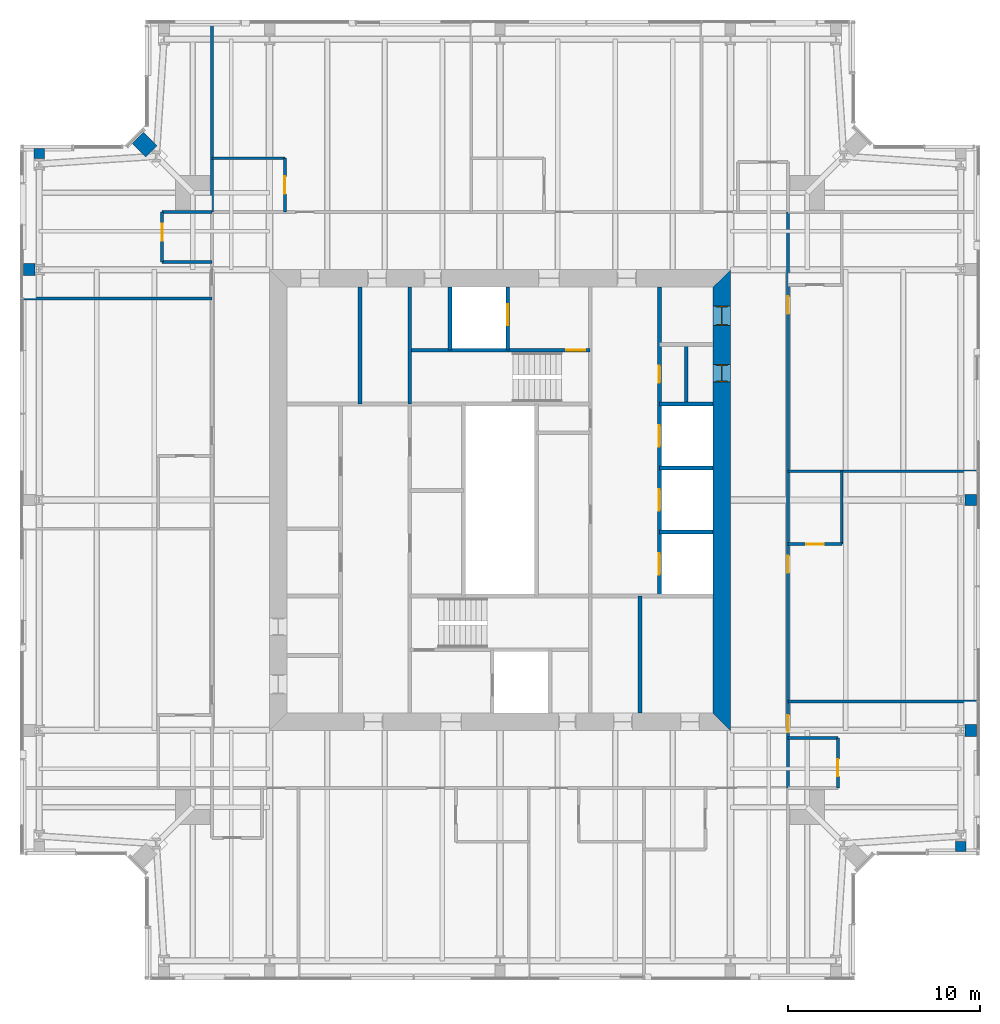
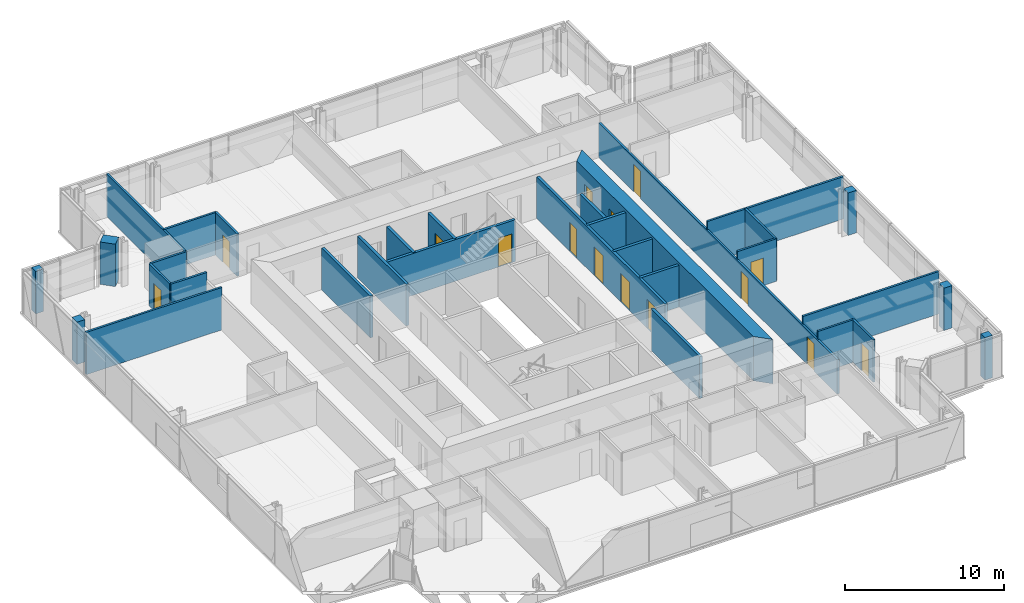
# One storey, part 13 of 20: 32 walls, 15 doors, 15 openings.
"""IFC4 building model written with IfcOpenShell, lengths in metres."""

from ifc_helpers import new_model, si_unit, direction, frame, frame_2d, origin, place, context, subcontext, project, spatial, polyline, rectangle, outline, extrude, material, layer, layer_set, type_object, element, fill, save


model = new_model("IFC4")

# Units and contexts
model_context = context("Model", 3, precision=1e-05, world=origin(), true_north=direction((0.0, 1.0)))
body_context = subcontext(model_context, "Body", "Model", "MODEL_VIEW")
ifc_project = project(units=[si_unit("LENGTHUNIT", "METRE"), si_unit("AREAUNIT", "SQUARE_METRE"), si_unit("VOLUMEUNIT", "CUBIC_METRE"), si_unit("PLANEANGLEUNIT", "RADIAN"), si_unit("MASSUNIT", "GRAM", prefix="KILO")], contexts=[model_context])

# Site, building, storey
site_placement = place(None, origin())
site = spatial("IfcSite", under=ifc_project, at=site_placement, CompositionType="ELEMENT")
building_placement = place(site_placement, origin())
building = spatial("IfcBuilding", under=site, at=building_placement, Name="Fenwick Lantern Interchange", CompositionType="ELEMENT")
storey_placement = place(building_placement, frame((0.0, 0.0, 276.39990234375)))
storey = spatial("IfcBuildingStorey", under=building, at=storey_placement, Name="L66", CompositionType="ELEMENT", Elevation=276.39990234375)

# Walls
ifc_material_1 = material(Name="Fire-rated gypsum board encasement on steel studs, 2 hour", Category="steel")
ifc_layer_1 = layer(ifc_material_1, 0.554931640625)
ifc_layer_set_1 = layer_set([ifc_layer_1], Name="COLUMN PIER 555")
wall_type_1 = type_object("IfcWallType", Name="COLUMN PIER 555", PredefinedType="PARTITIONING", material=ifc_layer_set_1)
for number, where, z_axis, x_axis, name in (
    (1, (49.0, 6.68994140625, 0.0), (0.0, 0.0, 1.0), (0.0, 1.0, 0.0), "L66/W/PIER/CE1"),
    (2, (1.0, 43.31005859375, 0.0), (0.0, 0.0, 1.0), (0.0, -1.0, 0.0), "L66/W/PIER/CW1"),
):
    element("IfcWall", number, at=place(storey_placement, frame(where, z_axis=z_axis, x_axis=x_axis)), inside=storey, type_object=wall_type_1, Name=name, PredefinedType="PARTITIONING", context=body_context, shape_type="SweptSolid", body=[
        extrude(rectangle(XDim=0.525634765625, YDim=0.554931640625, at=frame_2d((0.2626953125, 0.0))), origin(), (0.0, 0.0, 1.0), 3.25),
    ])
ifc_layer_2 = layer(ifc_material_1, 0.574951171875)
ifc_layer_set_2 = layer_set([ifc_layer_2], Name="COLUMN PIER 575")
wall_type_2 = type_object("IfcWallType", Name="COLUMN PIER 575", PredefinedType="PARTITIONING", material=ifc_layer_set_2)
wall_1_placement = place(storey_placement, frame((49.81005859375, 25.0, 0.0), z_axis=(0.0, 0.0, 1.0), x_axis=(-1.0, 0.0, 0.0)))
element("IfcWall", 3, at=wall_1_placement, inside=storey, type_object=wall_type_2, Name="L66/W/PIER/CE3", PredefinedType="PARTITIONING", context=body_context, shape_type="SweptSolid", body=[
    extrude(rectangle(XDim=0.597900390625, YDim=0.574951171875, at=frame_2d((0.298828125, 0.0))), origin(), (0.0, 0.0, 1.0), 3.25),
])
ifc_layer_3 = layer(ifc_material_1, 0.631103515625)
ifc_layer_set_3 = layer_set([ifc_layer_3], Name="COLUMN PIER 631")
wall_type_3 = type_object("IfcWallType", Name="COLUMN PIER 631", PredefinedType="PARTITIONING", material=ifc_layer_set_3)
for number, where, z_axis, x_axis, name in (
    (4, (49.81005859375, 13.0, 0.0), (0.0, 0.0, 1.0), (-1.0, 0.0, 0.0), "L66/W/PIER/CE2"),
    (5, (0.18994140625, 37.0, 0.0), (0.0, 0.0, 1.0), (1.0, 0.0, 0.0), "L66/W/PIER/CW2"),
):
    element("IfcWall", number, at=place(storey_placement, frame(where, z_axis=z_axis, x_axis=x_axis)), inside=storey, type_object=wall_type_3, Name=name, PredefinedType="PARTITIONING", context=body_context, shape_type="SweptSolid", body=[
        extrude(rectangle(XDim=0.589111328125, YDim=0.631103515625, at=frame_2d((0.29443359375, 0.0))), origin(), (0.0, 0.0, 1.0), 3.25),
    ])
ifc_layer_4 = layer(ifc_material_1, 0.823974609375)
ifc_layer_set_4 = layer_set([ifc_layer_4], Name="COLUMN PIER 824")
wall_type_4 = type_object("IfcWallType", Name="COLUMN PIER 824", PredefinedType="PARTITIONING", material=ifc_layer_set_4)
wall_2_placement = place(storey_placement, frame((6.13427734375, 43.86572265625, 0.0), z_axis=(0.0, 0.0, 1.0), x_axis=(0.707106781187, -0.707106781187, 0.0)))
element("IfcWall", 6, at=wall_2_placement, inside=storey, type_object=wall_type_4, Name="L66/W/PIER/CNR", PredefinedType="PARTITIONING", context=body_context, shape_type="SweptSolid", body=[
    extrude(rectangle(XDim=1.003662109375, YDim=0.823974609375, at=frame_2d((0.501953125, 0.0))), origin(), (0.0, 0.0, 1.0), 3.25),
])
ifc_material_2 = material(Name="Concrete masonry ASTM C90 Grade N", Category="masonry")
ifc_layer_5 = layer(ifc_material_2, 0.199951171875)
ifc_layer_set_5 = layer_set([ifc_layer_5], Name="Concrete masonry ASTM C90 Grade N")
wall_type_5 = type_object("IfcWallType", Name="CORE PARTITION 200", PredefinedType="PARTITIONING", material=ifc_layer_set_5)
wall_3_placement = place(storey_placement, frame((32.300048828125, 13.89990234375, 0.0), z_axis=(0.0, 0.0, 1.0), x_axis=(0.0, 1.0, 0.0)))
element("IfcWall", 7, at=wall_3_placement, inside=storey, type_object=wall_type_5, Name="L66/W/CORES/i2", PredefinedType="PARTITIONING", context=body_context, shape_type="SweptSolid", body=[
    extrude(rectangle(XDim=6.10009765625, YDim=0.199951171875, at=frame_2d((3.050048828125, 0.0))), origin(), (0.0, 0.0, 1.0), 3.2001953125),
])

# Wall, openings, doors
wall_4_placement = place(storey_placement, frame((33.300048828125, 36.10009765625, 0.0), z_axis=(0.0, 0.0, 1.0), x_axis=(0.0, -1.0, 0.0)))
wall_4 = element("IfcWall", 8, at=wall_4_placement, inside=storey, type_object=wall_type_5, Name="L66/W/COREN/a", PredefinedType="PARTITIONING", context=body_context, shape_type="SweptSolid", body=[
    extrude(rectangle(XDim=16.10009765625, YDim=0.199951171875, at=frame_2d((8.050048828125, 0.0))), origin(), (0.0, 0.0, 1.0), 3.2001953125),
])
opening_1_placement = place(wall_4_placement, frame((4.10009765625, 0.0, 0.0)))
opening_1 = element("IfcOpeningElement", 9, at=opening_1_placement, cuts=wall_4, Name="Opening L66-D020", PredefinedType="OPENING", context=body_context, shape_type="SweptSolid", body=[
    extrude(rectangle(XDim=0.89990234375, YDim=2.199951171875, at=frame_2d((0.449951171875, 1.10009765625))), frame((0.0, 0.10986328125, 0.0), z_axis=(0.0, -1.0, 0.0), x_axis=(1.0, 0.0, 0.0)), (0.0, 0.0, 1.0), 0.219970703125),
])
opening_2_placement = place(wall_4_placement, frame((7.216552734375, 0.0, 0.0)))
opening_2 = element("IfcOpeningElement", 10, at=opening_2_placement, cuts=wall_4, Name="Opening LD-E1-1", PredefinedType="OPENING", context=body_context, shape_type="SweptSolid", body=[
    extrude(rectangle(XDim=1.10009765625, YDim=2.199951171875, at=frame_2d((0.550048828125, 1.10009765625))), frame((0.0, 0.10986328125, 0.0), z_axis=(0.0, -1.0, 0.0), x_axis=(1.0, 0.0, 0.0)), (0.0, 0.0, 1.0), 0.219970703125),
])
opening_3_placement = place(wall_4_placement, frame((10.550048828125, 0.0, 0.0)))
opening_3 = element("IfcOpeningElement", 11, at=opening_3_placement, cuts=wall_4, Name="Opening LD-E1-2", PredefinedType="OPENING", context=body_context, shape_type="SweptSolid", body=[
    extrude(rectangle(XDim=1.10009765625, YDim=2.199951171875, at=frame_2d((0.550048828125, 1.10009765625))), frame((0.0, 0.10986328125, 0.0), z_axis=(0.0, -1.0, 0.0), x_axis=(1.0, 0.0, 0.0)), (0.0, 0.0, 1.0), 0.219970703125),
])
opening_4_placement = place(wall_4_placement, frame((13.88330078125, 0.0, 0.0)))
opening_4 = element("IfcOpeningElement", 12, at=opening_4_placement, cuts=wall_4, Name="Opening LD-E1-3", PredefinedType="OPENING", context=body_context, shape_type="SweptSolid", body=[
    extrude(rectangle(XDim=1.10009765625, YDim=2.199951171875, at=frame_2d((0.550048828125, 1.10009765625))), frame((0.0, 0.10986328125, 0.0), z_axis=(0.0, -1.0, 0.0), x_axis=(1.0, 0.0, 0.0)), (0.0, 0.0, 1.0), 0.219970703125),
])
ifc_material_3 = material(Name="Steel door and frame", Category="steel")
door_type_1 = type_object("IfcDoorType", Name="LIFT LANDING DOOR 1100 X 2200", OperationType="DOUBLE_DOOR_SLIDING", PredefinedType="DOOR", material=ifc_material_3)
door_1_placement = place(opening_2_placement, origin())
door_1 = element("IfcDoor", 13, at=door_1_placement, inside=storey, type_object=door_type_1, Name="Lift landing door E1-1", OperationType="DOUBLE_DOOR_SLIDING", OverallHeight=2.199951171875, OverallWidth=1.10009765625, PredefinedType="DOOR", context=body_context, shape_type="SweptSolid", body=[
    extrude(rectangle(XDim=1.10009765625, YDim=2.199951171875, at=frame_2d((0.550048828125, 1.10009765625))), frame((0.0, 0.02490234375, 0.0), z_axis=(0.0, -1.0, 0.0), x_axis=(1.0, 0.0, 0.0)), (0.0, 0.0, 1.0), 0.050048828125),
])
fill(opening_2, door_1)
door_2_placement = place(opening_3_placement, origin())
door_2 = element("IfcDoor", 14, at=door_2_placement, inside=storey, type_object=door_type_1, Name="Lift landing door E1-2", OperationType="DOUBLE_DOOR_SLIDING", OverallHeight=2.199951171875, OverallWidth=1.10009765625, PredefinedType="DOOR", context=body_context, shape_type="SweptSolid", body=[
    extrude(rectangle(XDim=1.10009765625, YDim=2.199951171875, at=frame_2d((0.550048828125, 1.10009765625))), frame((0.0, 0.02490234375, 0.0), z_axis=(0.0, -1.0, 0.0), x_axis=(1.0, 0.0, 0.0)), (0.0, 0.0, 1.0), 0.050048828125),
])
fill(opening_3, door_2)
door_3_placement = place(opening_4_placement, origin())
door_3 = element("IfcDoor", 15, at=door_3_placement, inside=storey, type_object=door_type_1, Name="Lift landing door E1-3", OperationType="DOUBLE_DOOR_SLIDING", OverallHeight=2.199951171875, OverallWidth=1.10009765625, PredefinedType="DOOR", context=body_context, shape_type="SweptSolid", body=[
    extrude(rectangle(XDim=1.10009765625, YDim=2.199951171875, at=frame_2d((0.550048828125, 1.10009765625))), frame((0.0, 0.02490234375, 0.0), z_axis=(0.0, -1.0, 0.0), x_axis=(1.0, 0.0, 0.0)), (0.0, 0.0, 1.0), 0.050048828125),
])
fill(opening_4, door_3)
door_type_2 = type_object("IfcDoorType", Name="SERVICE DOOR 900 X 2200", OperationType="SINGLE_SWING_LEFT", PredefinedType="DOOR", material=ifc_material_3)
door_4_placement = place(opening_1_placement, origin())
door_4 = element("IfcDoor", 16, at=door_4_placement, inside=storey, type_object=door_type_2, Name="Service door", OperationType="SINGLE_SWING_LEFT", OverallHeight=2.199951171875, OverallWidth=0.89990234375, PredefinedType="DOOR", context=body_context, shape_type="SweptSolid", body=[
    extrude(rectangle(XDim=0.89990234375, YDim=2.199951171875, at=frame_2d((0.449951171875, 1.10009765625))), frame((0.0, 0.02490234375, 0.0), z_axis=(0.0, -1.0, 0.0), x_axis=(1.0, 0.0, 0.0)), (0.0, 0.0, 1.0), 0.050048828125),
])
fill(opening_1, door_4)

# Walls
for number, where, z_axis, x_axis, name in (
    (17, (36.10009765625, 30.0, 0.0), (0.0, 0.0, 1.0), (-1.0, 0.0, 0.0), "L66/W/COREN/c2"),
    (18, (36.10009765625, 26.666748046875, 0.0), (0.0, 0.0, 1.0), (-1.0, 0.0, 0.0), "L66/W/COREN/d1"),
    (19, (36.10009765625, 23.333251953125, 0.0), (0.0, 0.0, 1.0), (-1.0, 0.0, 0.0), "L66/W/COREN/d2"),
):
    element("IfcWall", number, at=place(storey_placement, frame(where, z_axis=z_axis, x_axis=x_axis)), inside=storey, type_object=wall_type_5, Name=name, PredefinedType="PARTITIONING", context=body_context, shape_type="SweptSolid", body=[
        extrude(rectangle(XDim=2.800048828125, YDim=0.199951171875, at=frame_2d((1.39990234375, 0.0))), origin(), (0.0, 0.0, 1.0), 3.2001953125),
    ])

# Wall, opening, door
wall_5_placement = place(storey_placement, frame((25.39990234375, 36.10009765625, 0.0), z_axis=(0.0, 0.0, 1.0), x_axis=(0.0, -1.0, 0.0)))
wall_5 = element("IfcWall", 20, at=wall_5_placement, inside=storey, type_object=wall_type_5, Name="L66/W/COREN/h1", PredefinedType="PARTITIONING", context=body_context, shape_type="SweptSolid", body=[
    extrude(rectangle(XDim=3.300048828125, YDim=0.199951171875, at=frame_2d((1.64990234375, 0.0))), origin(), (0.0, 0.0, 1.0), 3.2001953125),
])
opening_5_placement = place(wall_5_placement, frame((0.89990234375, 0.0, 0.0)))
opening_5 = element("IfcOpeningElement", 21, at=opening_5_placement, cuts=wall_5, Name="Opening LD-FL2", PredefinedType="OPENING", context=body_context, shape_type="SweptSolid", body=[
    extrude(rectangle(XDim=1.10009765625, YDim=2.199951171875, at=frame_2d((0.550048828125, 1.10009765625))), frame((0.0, 0.10986328125, 0.0), z_axis=(0.0, -1.0, 0.0), x_axis=(1.0, 0.0, 0.0)), (0.0, 0.0, 1.0), 0.219970703125),
])
door_5_placement = place(opening_5_placement, origin())
door_5 = element("IfcDoor", 22, at=door_5_placement, inside=storey, type_object=door_type_1, Name="Lift landing door FL2", OperationType="DOUBLE_DOOR_SLIDING", OverallHeight=2.199951171875, OverallWidth=1.10009765625, PredefinedType="DOOR", context=body_context, shape_type="SweptSolid", body=[
    extrude(rectangle(XDim=1.10009765625, YDim=2.199951171875, at=frame_2d((0.550048828125, 1.10009765625))), frame((0.0, 0.02490234375, 0.0), z_axis=(0.0, -1.0, 0.0), x_axis=(1.0, 0.0, 0.0)), (0.0, 0.0, 1.0), 0.050048828125),
])
fill(opening_5, door_5)

# Walls
wall_6_placement = place(storey_placement, frame((22.39990234375, 36.10009765625, 0.0), z_axis=(0.0, 0.0, 1.0), x_axis=(0.0, -1.0, 0.0)))
element("IfcWall", 23, at=wall_6_placement, inside=storey, type_object=wall_type_5, Name="L66/W/COREN/h2", PredefinedType="PARTITIONING", context=body_context, shape_type="SweptSolid", body=[
    extrude(rectangle(XDim=3.300048828125, YDim=0.199951171875, at=frame_2d((1.64990234375, 0.0))), origin(), (0.0, 0.0, 1.0), 3.2001953125),
])
wall_7_placement = place(storey_placement, frame((17.699951171875, 36.10009765625, 0.0), z_axis=(0.0, 0.0, 1.0), x_axis=(0.0, -1.0, 0.0)))
element("IfcWall", 24, at=wall_7_placement, inside=storey, type_object=wall_type_5, Name="L66/W/COREN/i2", PredefinedType="PARTITIONING", context=body_context, shape_type="SweptSolid", body=[
    extrude(rectangle(XDim=6.10009765625, YDim=0.199951171875, at=frame_2d((3.050048828125, 0.0))), origin(), (0.0, 0.0, 1.0), 3.2001953125),
])
wall_8_placement = place(storey_placement, frame((34.699951171875, 33.10009765625, 0.0), z_axis=(0.0, 0.0, 1.0), x_axis=(0.0, -1.0, 0.0)))
element("IfcWall", 25, at=wall_8_placement, inside=storey, type_object=wall_type_5, Name="L66/W/COREN/px", PredefinedType="PARTITIONING", context=body_context, shape_type="SweptSolid", body=[
    extrude(rectangle(XDim=3.10009765625, YDim=0.199951171875, at=frame_2d((1.550048828125, 0.0))), origin(), (0.0, 0.0, 1.0), 3.2001953125),
])

# Wall, openings, doors
ifc_material_4 = material(Name="Concrete f'c 70 MPa", Category="concrete")
ifc_layer_6 = layer(ifc_material_4, 0.89990234375)
ifc_layer_set_6 = layer_set([ifc_layer_6], Name="CORE WALL 900")
wall_type_6 = type_object("IfcWallType", Name="CORE WALL 900", PredefinedType="SHEAR", material=ifc_layer_set_6)
wall_9_placement = place(storey_placement, frame((36.550048828125, 13.89990234375, 0.0), z_axis=(0.0, 0.0, 1.0), x_axis=(0.0, 1.0, 0.0)))
wall_9 = element("IfcWall", 26, at=wall_9_placement, inside=storey, type_object=wall_type_6, Name="L66/CORE/E", PredefinedType="SHEAR", context=body_context, shape_type="SweptSolid", body=[
    extrude(outline(polyline([(-0.89990234375, -0.449951171875), (23.10009765625, -0.449951171875), (22.199951171875, 0.449951171875), (0.0, 0.449951171875), (-0.89990234375, -0.449951171875)])), origin(), (0.0, 0.0, 1.0), 3.400146484375),
])
opening_6_placement = place(wall_9_placement, frame((20.199951171875, 0.0, 0.0)))
opening_6 = element("IfcOpeningElement", 27, at=opening_6_placement, cuts=wall_9, Name="Opening L66-D019", PredefinedType="OPENING", context=body_context, shape_type="SweptSolid", body=[
    extrude(rectangle(XDim=1.0, YDim=2.199951171875, at=frame_2d((0.5, 1.10009765625))), frame((0.0, 0.4599609375, 0.0), z_axis=(0.0, -1.0, 0.0), x_axis=(1.0, 0.0, 0.0)), (0.0, 0.0, 1.0), 0.919921875),
])
opening_7_placement = place(wall_9_placement, frame((17.25, 0.0, 0.0)))
opening_7 = element("IfcOpeningElement", 28, at=opening_7_placement, cuts=wall_9, Name="Opening L66-D021", PredefinedType="OPENING", context=body_context, shape_type="SweptSolid", body=[
    extrude(rectangle(XDim=0.89990234375, YDim=2.199951171875, at=frame_2d((0.449951171875, 1.10009765625))), frame((0.0, 0.4599609375, 0.0), z_axis=(0.0, -1.0, 0.0), x_axis=(1.0, 0.0, 0.0)), (0.0, 0.0, 1.0), 0.919921875),
])
door_6_placement = place(opening_7_placement, origin())
door_6 = element("IfcDoor", 29, at=door_6_placement, inside=storey, type_object=door_type_2, Name="Service door", OperationType="SINGLE_SWING_RIGHT", OverallHeight=2.199951171875, OverallWidth=0.89990234375, PredefinedType="DOOR", context=body_context, shape_type="SweptSolid", body=[
    extrude(rectangle(XDim=0.89990234375, YDim=2.199951171875, at=frame_2d((0.449951171875, 1.10009765625))), frame((0.0, 0.02490234375, 0.0), z_axis=(0.0, -1.0, 0.0), x_axis=(1.0, 0.0, 0.0)), (0.0, 0.0, 1.0), 0.050048828125),
    extrude(outline(polyline([(0.0, 0.0), (0.0400390625, 0.0), (0.0400390625, 2.159912109375), (0.85986328125, 2.159912109375), (0.85986328125, 0.0), (0.89990234375, 0.0), (0.89990234375, 2.199951171875), (0.0, 2.199951171875), (0.0, 0.0)])), frame((0.0, 0.300048828125, 0.0), z_axis=(0.0, -1.0, 0.0), x_axis=(1.0, 0.0, 0.0)), (0.0, 0.0, 1.0), 0.60009765625),
])
fill(opening_7, door_6)
ifc_material_5 = material(Name="Hardwood door and steel frame", Category="steel")
door_type_3 = type_object("IfcDoorType", Name="WC DOOR 1000 X 2200", OperationType="SINGLE_SWING_LEFT", PredefinedType="DOOR", material=ifc_material_5)
door_7_placement = place(opening_6_placement, origin())
door_7 = element("IfcDoor", 30, at=door_7_placement, inside=storey, type_object=door_type_3, Name="Wc door", OperationType="SINGLE_SWING_LEFT", OverallHeight=2.199951171875, OverallWidth=1.0, PredefinedType="DOOR", context=body_context, shape_type="SweptSolid", body=[
    extrude(rectangle(XDim=1.0, YDim=2.199951171875, at=frame_2d((0.5, 1.10009765625))), frame((0.0, 0.02490234375, 0.0), z_axis=(0.0, -1.0, 0.0), x_axis=(1.0, 0.0, 0.0)), (0.0, 0.0, 1.0), 0.050048828125),
    extrude(outline(polyline([(0.0, 0.0), (0.0400390625, 0.0), (0.0400390625, 2.159912109375), (0.9599609375, 2.159912109375), (0.9599609375, 0.0), (1.0, 0.0), (1.0, 2.199951171875), (0.0, 2.199951171875), (0.0, 0.0)])), frame((0.0, 0.300048828125, 0.0), z_axis=(0.0, -1.0, 0.0), x_axis=(1.0, 0.0, 0.0)), (0.0, 0.0, 1.0), 0.60009765625),
])
fill(opening_6, door_7)

ifc_material_6 = material(Name="Gypsum board on steel studs, 1 hour", Category="steel")
ifc_layer_7 = layer(ifc_material_6, 0.14990234375)
ifc_layer_set_7 = layer_set([ifc_layer_7], Name="CORRIDOR WALL 150")
wall_type_7 = type_object("IfcWallType", Name="CORRIDOR WALL 150", PredefinedType="PARTITIONING", material=ifc_layer_set_7)
wall_10_placement = place(storey_placement, frame((40.0, 10.0, 0.0), z_axis=(0.0, 0.0, 1.0), x_axis=(0.0, 1.0, 0.0)))
wall_10 = element("IfcWall", 31, at=wall_10_placement, inside=storey, type_object=wall_type_7, Name="L66/W/HOTEL/E/CW", PredefinedType="PARTITIONING", context=body_context, shape_type="SweptSolid", body=[
    extrude(rectangle(XDim=30.0, YDim=0.14990234375, at=frame_2d((15.0, 0.0))), origin(), (0.0, 0.0, 1.0), 2.637939453125),
])
opening_8_placement = place(wall_10_placement, frame((2.89990234375, 0.0, 0.0)))
opening_8 = element("IfcOpeningElement", 32, at=opening_8_placement, cuts=wall_10, Name="Opening L66-D032", PredefinedType="OPENING", context=body_context, shape_type="SweptSolid", body=[
    extrude(rectangle(XDim=0.89990234375, YDim=2.10009765625, at=frame_2d((0.449951171875, 1.050048828125))), frame((0.0, 0.0849609375, 0.0), z_axis=(0.0, -1.0, 0.0), x_axis=(1.0, 0.0, 0.0)), (0.0, 0.0, 1.0), 0.169921875),
])
opening_9_placement = place(wall_10_placement, frame((11.199951171875, 0.0, 0.0)))
opening_9 = element("IfcOpeningElement", 33, at=opening_9_placement, cuts=wall_10, Name="Opening L66-D035", PredefinedType="OPENING", context=body_context, shape_type="SweptSolid", body=[
    extrude(rectangle(XDim=0.89990234375, YDim=2.10009765625, at=frame_2d((0.449951171875, 1.050048828125))), frame((0.0, 0.0849609375, 0.0), z_axis=(0.0, -1.0, 0.0), x_axis=(1.0, 0.0, 0.0)), (0.0, 0.0, 1.0), 0.169921875),
])
opening_10_placement = place(wall_10_placement, frame((24.699951171875, 0.0, 0.0)))
opening_10 = element("IfcOpeningElement", 34, at=opening_10_placement, cuts=wall_10, Name="Opening L66-D037", PredefinedType="OPENING", context=body_context, shape_type="SweptSolid", body=[
    extrude(rectangle(XDim=0.89990234375, YDim=2.10009765625, at=frame_2d((0.449951171875, 1.050048828125))), frame((0.0, 0.0849609375, 0.0), z_axis=(0.0, -1.0, 0.0), x_axis=(1.0, 0.0, 0.0)), (0.0, 0.0, 1.0), 0.169921875),
])
door_type_4 = type_object("IfcDoorType", Name="GUEST ROOM DOOR 900 X 2100", OperationType="SINGLE_SWING_LEFT", PredefinedType="DOOR", material=ifc_material_3)
door_8_placement = place(opening_8_placement, frame((0.89990234375, 0.0, 0.0), z_axis=(0.0, 0.0, 1.0), x_axis=(-1.0, 0.0, 0.0)))
door_8 = element("IfcDoor", 35, at=door_8_placement, inside=storey, type_object=door_type_4, Name="Guest room door", OperationType="SINGLE_SWING_RIGHT", OverallHeight=2.10009765625, OverallWidth=0.89990234375, PredefinedType="DOOR", context=body_context, shape_type="SweptSolid", body=[
    extrude(rectangle(XDim=0.89990234375, YDim=2.10009765625, at=frame_2d((0.449951171875, 1.050048828125))), frame((0.0, 0.02490234375, 0.0), z_axis=(0.0, -1.0, 0.0), x_axis=(1.0, 0.0, 0.0)), (0.0, 0.0, 1.0), 0.050048828125),
])
fill(opening_8, door_8)
door_9_placement = place(opening_9_placement, frame((0.89990234375, 0.0, 0.0), z_axis=(0.0, 0.0, 1.0), x_axis=(-1.0, 0.0, 0.0)))
door_9 = element("IfcDoor", 36, at=door_9_placement, inside=storey, type_object=door_type_4, Name="Guest room door", OperationType="SINGLE_SWING_LEFT", OverallHeight=2.10009765625, OverallWidth=0.89990234375, PredefinedType="DOOR", context=body_context, shape_type="SweptSolid", body=[
    extrude(rectangle(XDim=0.89990234375, YDim=2.10009765625, at=frame_2d((0.449951171875, 1.050048828125))), frame((0.0, 0.02490234375, 0.0), z_axis=(0.0, -1.0, 0.0), x_axis=(1.0, 0.0, 0.0)), (0.0, 0.0, 1.0), 0.050048828125),
])
fill(opening_9, door_9)
door_10_placement = place(opening_10_placement, frame((0.89990234375, 0.0, 0.0), z_axis=(0.0, 0.0, 1.0), x_axis=(-1.0, 0.0, 0.0)))
door_10 = element("IfcDoor", 37, at=door_10_placement, inside=storey, type_object=door_type_4, Name="Guest room door", OperationType="SINGLE_SWING_LEFT", OverallHeight=2.10009765625, OverallWidth=0.89990234375, PredefinedType="DOOR", context=body_context, shape_type="SweptSolid", body=[
    extrude(rectangle(XDim=0.89990234375, YDim=2.10009765625, at=frame_2d((0.449951171875, 1.050048828125))), frame((0.0, 0.02490234375, 0.0), z_axis=(0.0, -1.0, 0.0), x_axis=(1.0, 0.0, 0.0)), (0.0, 0.0, 1.0), 0.050048828125),
])
fill(opening_10, door_10)

# Wall, opening, door
ifc_material_7 = material(Name="Gypsum board on steel studs, moisture resistant", Category="steel")
ifc_layer_8 = layer(ifc_material_7, 0.14990234375)
ifc_layer_set_8 = layer_set([ifc_layer_8], Name="EN-SUITE WALL 150")
wall_type_8 = type_object("IfcWallType", Name="EN-SUITE WALL 150", PredefinedType="PARTITIONING", material=ifc_layer_set_8)
wall_11_placement = place(storey_placement, frame((42.60009765625, 10.0, 0.0), z_axis=(0.0, 0.0, 1.0), x_axis=(0.0, 1.0, 0.0)))
wall_11 = element("IfcWall", 38, at=wall_11_placement, inside=storey, type_object=wall_type_8, Name="L66/W/HOTEL/E/U1BW", PredefinedType="PARTITIONING", context=body_context, shape_type="SweptSolid", body=[
    extrude(rectangle(XDim=2.60009765625, YDim=0.14990234375, at=frame_2d((1.300048828125, 0.0))), origin(), (0.0, 0.0, 1.0), 3.25),
])
opening_11_placement = place(wall_11_placement, frame((0.60009765625, 0.0, 0.0)))
opening_11 = element("IfcOpeningElement", 39, at=opening_11_placement, cuts=wall_11, Name="Opening L66-D033", PredefinedType="OPENING", context=body_context, shape_type="SweptSolid", body=[
    extrude(rectangle(XDim=0.89990234375, YDim=2.10009765625, at=frame_2d((0.449951171875, 1.050048828125))), frame((0.0, 0.0849609375, 0.0), z_axis=(0.0, -1.0, 0.0), x_axis=(1.0, 0.0, 0.0)), (0.0, 0.0, 1.0), 0.169921875),
])
door_type_5 = type_object("IfcDoorType", Name="EN-SUITE DOOR 900 X 2100", OperationType="SINGLE_SWING_LEFT", PredefinedType="DOOR", material=ifc_material_5)
door_11_placement = place(opening_11_placement, origin())
door_11 = element("IfcDoor", 40, at=door_11_placement, inside=storey, type_object=door_type_5, Name="En-suite door", OperationType="SINGLE_SWING_LEFT", OverallHeight=2.10009765625, OverallWidth=0.89990234375, PredefinedType="DOOR", context=body_context, shape_type="SweptSolid", body=[
    extrude(rectangle(XDim=0.89990234375, YDim=2.10009765625, at=frame_2d((0.449951171875, 1.050048828125))), frame((0.0, 0.02490234375, 0.0), z_axis=(0.0, -1.0, 0.0), x_axis=(1.0, 0.0, 0.0)), (0.0, 0.0, 1.0), 0.050048828125),
])
fill(opening_11, door_11)

# Walls
wall_12_placement = place(storey_placement, frame((42.60009765625, 12.60009765625, 0.0), z_axis=(0.0, 0.0, 1.0), x_axis=(-1.0, 0.0, 0.0)))
element("IfcWall", 41, at=wall_12_placement, inside=storey, type_object=wall_type_8, Name="L66/W/HOTEL/E/U1BE", PredefinedType="PARTITIONING", context=body_context, shape_type="SweptSolid", body=[
    extrude(rectangle(XDim=2.60009765625, YDim=0.14990234375, at=frame_2d((1.300048828125, 0.0))), origin(), (0.0, 0.0, 1.0), 3.25),
])
wall_13_placement = place(storey_placement, frame((42.800048828125, 22.699951171875, 0.0), z_axis=(0.0, 0.0, 1.0), x_axis=(0.0, 1.0, 0.0)))
element("IfcWall", 42, at=wall_13_placement, inside=storey, type_object=wall_type_8, Name="L66/W/HOTEL/E/U2BW", PredefinedType="PARTITIONING", context=body_context, shape_type="SweptSolid", body=[
    extrude(rectangle(XDim=3.800048828125, YDim=0.14990234375, at=frame_2d((1.89990234375, 0.0))), origin(), (0.0, 0.0, 1.0), 3.25),
])

# Wall, opening, door
wall_14_placement = place(storey_placement, frame((42.800048828125, 22.699951171875, 0.0), z_axis=(0.0, 0.0, 1.0), x_axis=(-1.0, 0.0, 0.0)))
wall_14 = element("IfcWall", 43, at=wall_14_placement, inside=storey, type_object=wall_type_8, Name="L66/W/HOTEL/E/U2BX", PredefinedType="PARTITIONING", context=body_context, shape_type="SweptSolid", body=[
    extrude(rectangle(XDim=2.800048828125, YDim=0.14990234375, at=frame_2d((1.39990234375, 0.0))), origin(), (0.0, 0.0, 1.0), 3.25),
])
opening_12_placement = place(wall_14_placement, frame((0.949951171875, 0.0, 0.0)))
opening_12 = element("IfcOpeningElement", 44, at=opening_12_placement, cuts=wall_14, Name="Opening L66-D034", PredefinedType="OPENING", context=body_context, shape_type="SweptSolid", body=[
    extrude(rectangle(XDim=0.89990234375, YDim=2.10009765625, at=frame_2d((0.449951171875, 1.050048828125))), frame((0.0, 0.0849609375, 0.0), z_axis=(0.0, -1.0, 0.0), x_axis=(1.0, 0.0, 0.0)), (0.0, 0.0, 1.0), 0.169921875),
])
door_12_placement = place(opening_12_placement, frame((0.89990234375, 0.0, 0.0), z_axis=(0.0, 0.0, 1.0), x_axis=(-1.0, 0.0, 0.0)))
door_12 = element("IfcDoor", 45, at=door_12_placement, inside=storey, type_object=door_type_5, Name="En-suite door", OperationType="SINGLE_SWING_RIGHT", OverallHeight=2.10009765625, OverallWidth=0.89990234375, PredefinedType="DOOR", context=body_context, shape_type="SweptSolid", body=[
    extrude(rectangle(XDim=0.89990234375, YDim=2.10009765625, at=frame_2d((0.449951171875, 1.050048828125))), frame((0.0, 0.02490234375, 0.0), z_axis=(0.0, -1.0, 0.0), x_axis=(1.0, 0.0, 0.0)), (0.0, 0.0, 1.0), 0.050048828125),
])
fill(opening_12, door_12)

# Wall
wall_15_placement = place(storey_placement, frame((13.800048828125, 42.800048828125, 0.0), z_axis=(0.0, 0.0, 1.0), x_axis=(-1.0, 0.0, 0.0)))
element("IfcWall", 46, at=wall_15_placement, inside=storey, type_object=wall_type_8, Name="L66/W/HOTEL/N/U3BW", PredefinedType="PARTITIONING", context=body_context, shape_type="SweptSolid", body=[
    extrude(rectangle(XDim=3.800048828125, YDim=0.14990234375, at=frame_2d((1.89990234375, 0.0))), origin(), (0.0, 0.0, 1.0), 3.25),
])

# Wall, opening, door
wall_16_placement = place(storey_placement, frame((13.800048828125, 42.800048828125, 0.0), z_axis=(0.0, 0.0, 1.0), x_axis=(0.0, -1.0, 0.0)))
wall_16 = element("IfcWall", 47, at=wall_16_placement, inside=storey, type_object=wall_type_8, Name="L66/W/HOTEL/N/U3BX", PredefinedType="PARTITIONING", context=body_context, shape_type="SweptSolid", body=[
    extrude(rectangle(XDim=2.800048828125, YDim=0.14990234375, at=frame_2d((1.39990234375, 0.0))), origin(), (0.0, 0.0, 1.0), 3.25),
])
opening_13_placement = place(wall_16_placement, frame((0.949951171875, 0.0, 0.0)))
opening_13 = element("IfcOpeningElement", 48, at=opening_13_placement, cuts=wall_16, Name="Opening L66-D042", PredefinedType="OPENING", context=body_context, shape_type="SweptSolid", body=[
    extrude(rectangle(XDim=0.89990234375, YDim=2.10009765625, at=frame_2d((0.449951171875, 1.050048828125))), frame((0.0, 0.0849609375, 0.0), z_axis=(0.0, -1.0, 0.0), x_axis=(1.0, 0.0, 0.0)), (0.0, 0.0, 1.0), 0.169921875),
])
door_13_placement = place(opening_13_placement, frame((0.89990234375, 0.0, 0.0), z_axis=(0.0, 0.0, 1.0), x_axis=(-1.0, 0.0, 0.0)))
door_13 = element("IfcDoor", 49, at=door_13_placement, inside=storey, type_object=door_type_5, Name="En-suite door", OperationType="SINGLE_SWING_RIGHT", OverallHeight=2.10009765625, OverallWidth=0.89990234375, PredefinedType="DOOR", context=body_context, shape_type="SweptSolid", body=[
    extrude(rectangle(XDim=0.89990234375, YDim=2.10009765625, at=frame_2d((0.449951171875, 1.050048828125))), frame((0.0, 0.02490234375, 0.0), z_axis=(0.0, -1.0, 0.0), x_axis=(1.0, 0.0, 0.0)), (0.0, 0.0, 1.0), 0.050048828125),
])
fill(opening_13, door_13)

wall_17_placement = place(storey_placement, frame((7.39990234375, 40.0, 0.0), z_axis=(0.0, 0.0, 1.0), x_axis=(0.0, -1.0, 0.0)))
wall_17 = element("IfcWall", 50, at=wall_17_placement, inside=storey, type_object=wall_type_8, Name="L66/W/HOTEL/W/U1BW", PredefinedType="PARTITIONING", context=body_context, shape_type="SweptSolid", body=[
    extrude(rectangle(XDim=2.60009765625, YDim=0.14990234375, at=frame_2d((1.300048828125, 0.0))), origin(), (0.0, 0.0, 1.0), 3.25),
])
opening_14_placement = place(wall_17_placement, frame((0.60009765625, 0.0, 0.0)))
opening_14 = element("IfcOpeningElement", 51, at=opening_14_placement, cuts=wall_17, Name="Opening L66-D045", PredefinedType="OPENING", context=body_context, shape_type="SweptSolid", body=[
    extrude(rectangle(XDim=0.89990234375, YDim=2.10009765625, at=frame_2d((0.449951171875, 1.050048828125))), frame((0.0, 0.0849609375, 0.0), z_axis=(0.0, -1.0, 0.0), x_axis=(1.0, 0.0, 0.0)), (0.0, 0.0, 1.0), 0.169921875),
])
door_14_placement = place(opening_14_placement, origin())
door_14 = element("IfcDoor", 52, at=door_14_placement, inside=storey, type_object=door_type_5, Name="En-suite door", OperationType="SINGLE_SWING_LEFT", OverallHeight=2.10009765625, OverallWidth=0.89990234375, PredefinedType="DOOR", context=body_context, shape_type="SweptSolid", body=[
    extrude(rectangle(XDim=0.89990234375, YDim=2.10009765625, at=frame_2d((0.449951171875, 1.050048828125))), frame((0.0, 0.02490234375, 0.0), z_axis=(0.0, -1.0, 0.0), x_axis=(1.0, 0.0, 0.0)), (0.0, 0.0, 1.0), 0.050048828125),
])
fill(opening_14, door_14)

# Walls
for number, where, z_axis, x_axis, name in (
    (53, (7.39990234375, 40.0, 0.0), (0.0, 0.0, 1.0), (1.0, 0.0, 0.0), "L66/W/HOTEL/W/U1BX"),
    (54, (7.39990234375, 37.39990234375, 0.0), (0.0, 0.0, 1.0), (1.0, 0.0, 0.0), "L66/W/HOTEL/W/U1BE"),
):
    element("IfcWall", number, at=place(storey_placement, frame(where, z_axis=z_axis, x_axis=x_axis)), inside=storey, type_object=wall_type_8, Name=name, PredefinedType="PARTITIONING", context=body_context, shape_type="SweptSolid", body=[
        extrude(rectangle(XDim=2.60009765625, YDim=0.14990234375, at=frame_2d((1.300048828125, 0.0))), origin(), (0.0, 0.0, 1.0), 3.25),
    ])
ifc_material_8 = material(Name="Gypsum board on steel studs, 1 hour acoustic", Category="steel")
ifc_layer_9 = layer(ifc_material_8, 0.14990234375)
ifc_layer_set_9 = layer_set([ifc_layer_9], Name="PARTY WALL 150")
wall_type_9 = type_object("IfcWallType", Name="PARTY WALL 150", PredefinedType="PARTITIONING", material=ifc_layer_set_9)
for number, where, z_axis, x_axis, name in (
    (55, (49.85009765625, 14.5, 0.0), (0.0, 0.0, 1.0), (-1.0, 0.0, 0.0), "L66/W/HOTEL/E/U2PW"),
    (56, (49.85009765625, 26.5, 0.0), (0.0, 0.0, 1.0), (-1.0, 0.0, 0.0), "L66/W/HOTEL/E/U3PW"),
    (57, (10.0, 49.85009765625, 0.0), (0.0, 0.0, 1.0), (0.0, -1.0, 0.0), "L66/W/HOTEL/W/SW3"),
    (58, (0.14990234375, 35.5, 0.0), (0.0, 0.0, 1.0), (1.0, 0.0, 0.0), "L66/W/HOTEL/W/U2PW"),
):
    element("IfcWall", number, at=place(storey_placement, frame(where, z_axis=z_axis, x_axis=x_axis)), inside=storey, type_object=wall_type_9, Name=name, PredefinedType="PARTITIONING", context=body_context, shape_type="SweptSolid", body=[
        extrude(rectangle(XDim=9.85009765625, YDim=0.14990234375, at=frame_2d((4.925048828125, 0.0))), origin(), (0.0, 0.0, 1.0), 3.25),
    ])

# Wall, opening, door
ifc_material_9 = material(Name="Concrete f'c 45 MPa", Category="concrete")
ifc_layer_10 = layer(ifc_material_9, 0.199951171875)
ifc_layer_set_10 = layer_set([ifc_layer_10], Name="STAIR CORE WALL 200")
wall_type_10 = type_object("IfcWallType", Name="STAIR CORE WALL 200", PredefinedType="SOLIDWALL", material=ifc_layer_set_10)
wall_18_placement = place(storey_placement, frame((29.699951171875, 32.800048828125, 0.0), z_axis=(0.0, 0.0, 1.0), x_axis=(-1.0, 0.0, 0.0)))
wall_18 = element("IfcWall", 59, at=wall_18_placement, inside=storey, type_object=wall_type_10, Name="L66/W/COREN/g1", PredefinedType="SOLIDWALL", context=body_context, shape_type="SweptSolid", body=[
    extrude(rectangle(XDim=9.39990234375, YDim=0.199951171875, at=frame_2d((4.699951171875, 0.0))), origin(), (0.0, 0.0, 1.0), 3.2001953125),
])
opening_15_placement = place(wall_18_placement, frame((0.25, 0.0, 0.0)))
opening_15 = element("IfcOpeningElement", 60, at=opening_15_placement, cuts=wall_18, Name="Opening L66-D015", PredefinedType="OPENING", context=body_context, shape_type="SweptSolid", body=[
    extrude(rectangle(XDim=1.0, YDim=2.199951171875, at=frame_2d((0.5, 1.10009765625))), frame((0.0, 0.10986328125, 0.0), z_axis=(0.0, -1.0, 0.0), x_axis=(1.0, 0.0, 0.0)), (0.0, 0.0, 1.0), 0.219970703125),
])
door_type_6 = type_object("IfcDoorType", Name="STAIR DOOR 1000 X 2200", OperationType="SINGLE_SWING_LEFT", PredefinedType="DOOR", material=ifc_material_3)
door_15_placement = place(opening_15_placement, origin())
door_15 = element("IfcDoor", 61, at=door_15_placement, inside=storey, type_object=door_type_6, Name="Stair door", OperationType="SINGLE_SWING_LEFT", OverallHeight=2.199951171875, OverallWidth=1.0, PredefinedType="DOOR", context=body_context, shape_type="SweptSolid", body=[
    extrude(rectangle(XDim=1.0, YDim=2.199951171875, at=frame_2d((0.5, 1.10009765625))), frame((0.0, 0.02490234375, 0.0), z_axis=(0.0, -1.0, 0.0), x_axis=(1.0, 0.0, 0.0)), (0.0, 0.0, 1.0), 0.050048828125),
])
fill(opening_15, door_15)

# Wall
wall_19_placement = place(storey_placement, frame((20.300048828125, 36.10009765625, 0.0), z_axis=(0.0, 0.0, 1.0), x_axis=(0.0, -1.0, 0.0)))
element("IfcWall", 62, at=wall_19_placement, inside=storey, type_object=wall_type_10, Name="L66/W/COREN/i1", PredefinedType="SOLIDWALL", context=body_context, shape_type="SweptSolid", body=[
    extrude(rectangle(XDim=6.10009765625, YDim=0.199951171875, at=frame_2d((3.050048828125, 0.0))), origin(), (0.0, 0.0, 1.0), 3.2001953125),
])

save(model, "model.ifc")
